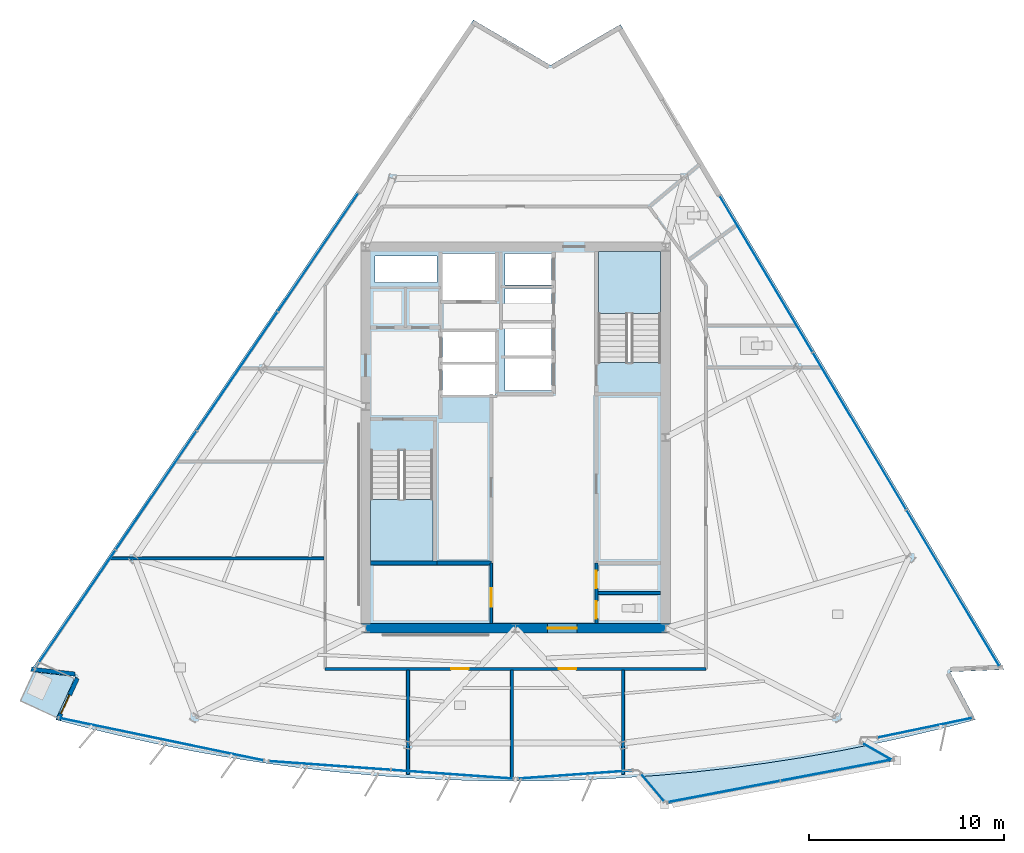
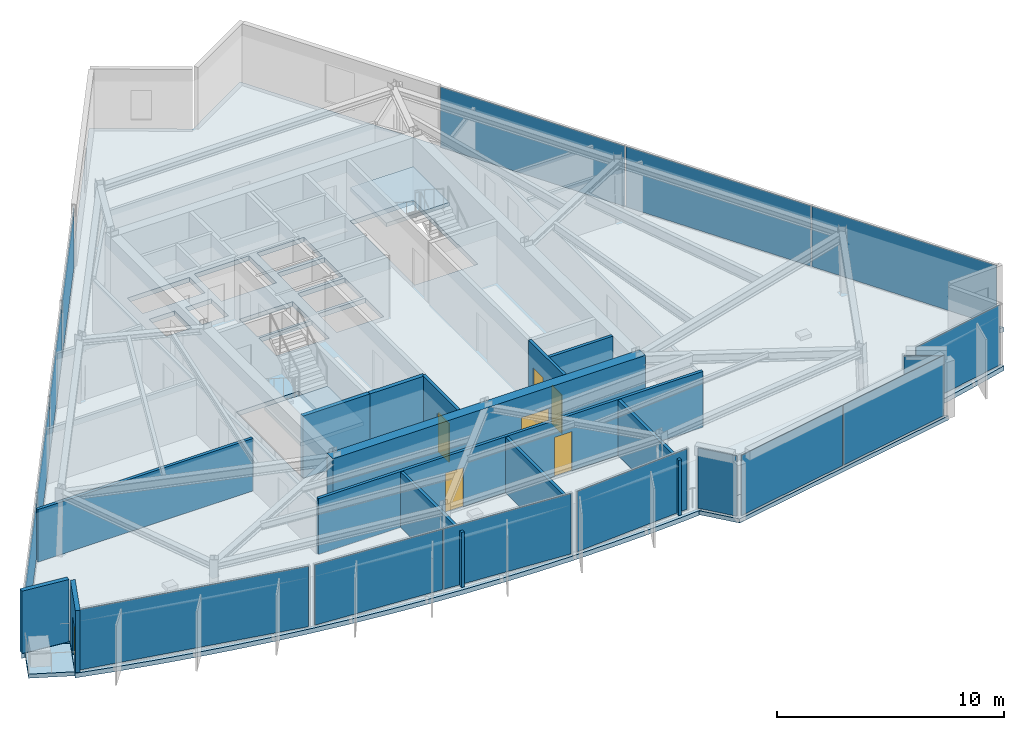
# One storey, part 7 of 14: 16 plates, 13 walls, 7 doors, 5 slabs, 7 openings, 11 elements without a shape of their own.
"""IFC4 building model written with IfcOpenShell, lengths in metres."""

from ifc_helpers import new_model, si_unit, direction, frame, frame_2d, origin, origin_2d, place, context, subcontext, project, spatial, polyline, rectangle, outline, extrude, material, layer, layer_set, type_object, element, fill, aggregate, save


model = new_model("IFC4")

# Units and contexts
model_context = context("Model", 3, precision=1e-05, world=origin(), true_north=direction((0.0, 1.0)))
body_context = subcontext(model_context, "Body", "Model", "MODEL_VIEW")
ifc_project = project(units=[si_unit("LENGTHUNIT", "METRE"), si_unit("AREAUNIT", "SQUARE_METRE"), si_unit("VOLUMEUNIT", "CUBIC_METRE"), si_unit("PLANEANGLEUNIT", "RADIAN"), si_unit("MASSUNIT", "GRAM", prefix="KILO")], contexts=[model_context])

# Site, building, storey
site_placement = place(None, origin())
site = spatial("IfcSite", under=ifc_project, at=site_placement, CompositionType="ELEMENT")
building_placement = place(site_placement, origin())
building = spatial("IfcBuilding", under=site, at=building_placement, Name="Savorim Split Tower", CompositionType="ELEMENT")
storey_placement = place(building_placement, frame((0.0, 0.0, 219.89990234375)))
storey = spatial("IfcBuildingStorey", under=building, at=storey_placement, Name="L58", CompositionType="ELEMENT", Elevation=219.89990234375)

# Curtain wall, plate
ifc_material_1 = material(Name="Dark Ceramic-Fritted Insulated Glass", Category="glass")
curtain_wall_type_1 = type_object("IfcCurtainWallType", Name="CW-TWR-FRIT-B", PredefinedType="NOTDEFINED", material=ifc_material_1)
curtain_wall_1_placement = place(storey_placement, origin())
curtain_wall_1 = element("IfcCurtainWall", 1, at=curtain_wall_1_placement, inside=storey, type_object=curtain_wall_type_1, Name="L58 Curtain Wall CW-L58-SF1A", PredefinedType="NOTDEFINED")
ifc_layer_1 = layer(ifc_material_1, 0.02587890625)
ifc_layer_set_1 = layer_set([ifc_layer_1], Name="CWP-FRITB-26")
plate_type_1 = type_object("IfcPlateType", Name="CWP-FRITB-26", PredefinedType="CURTAIN_PANEL", material=ifc_layer_set_1)
plate_1_placement = place(storey_placement, frame((-18.205322265625, -15.09423828125, 0.050048828125), z_axis=(0.0, 0.0, 1.0), x_axis=(0.979134184169, -0.203214786352, 0.0)))
plate_1 = element("IfcPlate", 2, at=plate_1_placement, type_object=plate_type_1, Name="CW-03 panel 1.1", PredefinedType="CURTAIN_PANEL", context=body_context, shape_type="SweptSolid", body=[
    extrude(rectangle(XDim=10.70849609375, YDim=0.02587890625, at=origin_2d()), origin(), (0.0, 0.0, 1.0), 3.25),
])
aggregate(curtain_wall_1, [plate_1])

# Curtain wall, plates
curtain_wall_2_placement = place(storey_placement, origin())
curtain_wall_2 = element("IfcCurtainWall", 3, at=curtain_wall_2_placement, inside=storey, type_object=curtain_wall_type_1, Name="L58 Curtain Wall CW-L58-SF2A", PredefinedType="NOTDEFINED")
plate_2_placement = place(storey_placement, frame((-9.549560546875, -16.447509765625, 0.050048828125), z_axis=(0.0, 0.0, 1.0), x_axis=(0.997436283282, -0.071560189997, 0.0)))
plate_2 = element("IfcPlate", 4, at=plate_2_placement, type_object=plate_type_1, Name="CW-03 panel 1.1", PredefinedType="CURTAIN_PANEL", context=body_context, shape_type="SweptSolid", body=[
    extrude(rectangle(XDim=6.24169921875, YDim=0.02587890625, at=origin_2d()), origin(), (0.0, 0.0, 1.0), 3.25),
])
plate_3_placement = place(storey_placement, frame((-3.263916015625, -16.8984375, 0.050048828125), z_axis=(0.0, 0.0, 1.0), x_axis=(0.997436283282, -0.071560189997, 0.0)))
plate_3 = element("IfcPlate", 5, at=plate_3_placement, type_object=plate_type_1, Name="CW-03 panel 2.1", PredefinedType="CURTAIN_PANEL", context=body_context, shape_type="SweptSolid", body=[
    extrude(rectangle(XDim=6.24169921875, YDim=0.02587890625, at=origin_2d()), origin(), (0.0, 0.0, 1.0), 3.25),
])
aggregate(curtain_wall_2, [plate_2, plate_3])

# Curtain wall, plate
curtain_wall_3_placement = place(storey_placement, origin())
curtain_wall_3 = element("IfcCurtainWall", 6, at=curtain_wall_3_placement, inside=storey, type_object=curtain_wall_type_1, Name="L58 Curtain Wall CW-L58-SF3A", PredefinedType="NOTDEFINED")
plate_4_placement = place(storey_placement, frame((3.0654296875, -16.91259765625, 0.050048828125), z_axis=(0.0, 0.0, 1.0), x_axis=(0.997435751346, 0.071567603964, 0.0)))
plate_4 = element("IfcPlate", 7, at=plate_4_placement, type_object=plate_type_1, Name="CW-03 panel 1.1", PredefinedType="CURTAIN_PANEL", context=body_context, shape_type="SweptSolid", body=[
    extrude(rectangle(XDim=5.843505859375, YDim=0.02587890625, at=origin_2d()), origin(), (0.0, 0.0, 1.0), 3.25),
])
aggregate(curtain_wall_3, [plate_4])

curtain_wall_4_placement = place(storey_placement, origin())
curtain_wall_4 = element("IfcCurtainWall", 8, at=curtain_wall_4_placement, inside=storey, type_object=curtain_wall_type_1, Name="L58 Curtain Wall CW-L58-SF4A", PredefinedType="NOTDEFINED")
plate_5_placement = place(storey_placement, frame((21.02978515625, -14.508056640625, 0.050048828125), z_axis=(0.0, 0.0, 1.0), x_axis=(0.979134728016, 0.203212165958, 0.0)))
plate_5 = element("IfcPlate", 9, at=plate_5_placement, type_object=plate_type_1, Name="CW-03 panel 1.1", PredefinedType="CURTAIN_PANEL", context=body_context, shape_type="SweptSolid", body=[
    extrude(rectangle(XDim=4.938720703125, YDim=0.02587890625, at=origin_2d()), origin(), (0.0, 0.0, 1.0), 3.25),
])
aggregate(curtain_wall_4, [plate_5])

# Curtain wall, plates
curtain_wall_5_placement = place(storey_placement, origin())
curtain_wall_5 = element("IfcCurtainWall", 10, at=curtain_wall_5_placement, inside=storey, type_object=curtain_wall_type_1, Name="L58 Curtain Wall CW-L58-EAST", PredefinedType="NOTDEFINED")
plate_6_placement = place(storey_placement, frame((22.467041015625, -7.335205078125, 0.050048828125), z_axis=(0.0, 0.0, 1.0), x_axis=(-0.51109620442, 0.859523513249, 0.0)))
plate_6 = element("IfcPlate", 11, at=plate_6_placement, type_object=plate_type_1, Name="CW-03 panel 1.1", PredefinedType="CURTAIN_PANEL", context=body_context, shape_type="SweptSolid", body=[
    extrude(rectangle(XDim=9.3125, YDim=0.02587890625, at=origin_2d()), origin(), (0.0, 0.0, 1.0), 3.25),
])
plate_7_placement = place(storey_placement, frame((17.669189453125, 0.733642578125, 0.050048828125), z_axis=(0.0, 0.0, 1.0), x_axis=(-0.51109620442, 0.859523513249, 0.0)))
plate_7 = element("IfcPlate", 12, at=plate_7_placement, type_object=plate_type_1, Name="CW-03 panel 2.1", PredefinedType="CURTAIN_PANEL", context=body_context, shape_type="SweptSolid", body=[
    extrude(rectangle(XDim=9.342529296875, YDim=0.02587890625, at=origin_2d()), origin(), (0.0, 0.0, 1.0), 3.25),
])
plate_8_placement = place(storey_placement, frame((12.871337890625, 8.802490234375, 0.050048828125), z_axis=(0.0, 0.0, 1.0), x_axis=(-0.51109620442, 0.859523513249, 0.0)))
plate_8 = element("IfcPlate", 13, at=plate_8_placement, type_object=plate_type_1, Name="CW-03 panel 3.1", PredefinedType="CURTAIN_PANEL", context=body_context, shape_type="SweptSolid", body=[
    extrude(rectangle(XDim=9.3125, YDim=0.02587890625, at=origin_2d()), origin(), (0.0, 0.0, 1.0), 3.25),
])
aggregate(curtain_wall_5, [plate_6, plate_7, plate_8])

curtain_wall_6_placement = place(storey_placement, origin())
curtain_wall_6 = element("IfcCurtainWall", 14, at=curtain_wall_6_placement, inside=storey, type_object=curtain_wall_type_1, Name="L58 Curtain Wall CW-L58-WEST", PredefinedType="NOTDEFINED")
plate_9_placement = place(storey_placement, frame((-10.14208984375, 9.923583984375, 0.050048828125), z_axis=(0.0, 0.0, 1.0), x_axis=(-0.562466573779, -0.826820024782, 0.0)))
plate_9 = element("IfcPlate", 15, at=plate_9_placement, type_object=plate_type_1, Name="CW-03 panel 1.1", PredefinedType="CURTAIN_PANEL", context=body_context, shape_type="SweptSolid", body=[
    extrude(rectangle(XDim=7.317626953125, YDim=0.02587890625, at=origin_2d()), origin(), (0.0, 0.0, 1.0), 3.25),
])
plate_10_placement = place(storey_placement, frame((-14.300048828125, 3.811279296875, 0.050048828125), z_axis=(0.0, 0.0, 1.0), x_axis=(-0.562466573779, -0.826820024782, 0.0)))
plate_10 = element("IfcPlate", 16, at=plate_10_placement, type_object=plate_type_1, Name="CW-03 panel 2.1", PredefinedType="CURTAIN_PANEL", context=body_context, shape_type="SweptSolid", body=[
    extrude(rectangle(XDim=7.347412109375, YDim=0.02587890625, at=origin_2d()), origin(), (0.0, 0.0, 1.0), 3.25),
])
plate_11_placement = place(storey_placement, frame((-18.466552734375, -2.313232421875, 0.050048828125), z_axis=(0.0, 0.0, 1.0), x_axis=(-0.562466573779, -0.826820024782, 0.0)))
plate_11 = element("IfcPlate", 17, at=plate_11_placement, type_object=plate_type_1, Name="CW-03 panel 3.1", PredefinedType="CURTAIN_PANEL", context=body_context, shape_type="SweptSolid", body=[
    extrude(rectangle(XDim=7.347412109375, YDim=0.02587890625, at=origin_2d()), origin(), (0.0, 0.0, 1.0), 3.25),
])
plate_12_placement = place(storey_placement, frame((-22.62451171875, -8.425537109375, 0.050048828125), z_axis=(0.0, 0.0, 1.0), x_axis=(-0.562466573779, -0.826820024782, 0.0)))
plate_12 = element("IfcPlate", 18, at=plate_12_placement, type_object=plate_type_1, Name="CW-03 panel 4.1", PredefinedType="CURTAIN_PANEL", context=body_context, shape_type="SweptSolid", body=[
    extrude(rectangle(XDim=7.317626953125, YDim=0.02587890625, at=origin_2d()), origin(), (0.0, 0.0, 1.0), 3.25),
])
aggregate(curtain_wall_6, [plate_9, plate_10, plate_11, plate_12])

curtain_wall_type_2 = type_object("IfcCurtainWallType", Name="CW-BAY-LOUNGE", PredefinedType="NOTDEFINED", material=ifc_material_1)
curtain_wall_7_placement = place(storey_placement, origin())
curtain_wall_7 = element("IfcCurtainWall", 19, at=curtain_wall_7_placement, inside=storey, type_object=curtain_wall_type_2, Name="L58 Curtain Wall CW-L58-BAYF", PredefinedType="NOTDEFINED")
ifc_material_2 = material(Name="Low-E Operable Double Glazing", Category="glass")
ifc_layer_2 = layer(ifc_material_2, 0.031982421875)
ifc_layer_set_2 = layer_set([ifc_layer_2], Name="CWP-POD-32")
plate_type_2 = type_object("IfcPlateType", Name="CWP-POD-32", PredefinedType="CURTAIN_PANEL", material=ifc_layer_set_2)
plate_13_placement = place(storey_placement, frame((10.6953125, -17.788330078125, 0.05517578125), z_axis=(0.0, 0.0, 1.0), x_axis=(0.982442225458, 0.186567075437, 0.0)))
plate_13 = element("IfcPlate", 20, at=plate_13_placement, type_object=plate_type_2, Name="CW-04 panel 1.1", PredefinedType="CURTAIN_PANEL", context=body_context, shape_type="SweptSolid", body=[
    extrude(rectangle(XDim=5.859375, YDim=0.031982421875, at=origin_2d()), origin(), (0.0, 0.0, 1.0), 3.239990234375),
])
plate_14_placement = place(storey_placement, frame((16.515625, -16.68310546875, 0.05517578125), z_axis=(0.0, 0.0, 1.0), x_axis=(0.982442225458, 0.186567075437, 0.0)))
plate_14 = element("IfcPlate", 21, at=plate_14_placement, type_object=plate_type_2, Name="CW-04 panel 2.1", PredefinedType="CURTAIN_PANEL", context=body_context, shape_type="SweptSolid", body=[
    extrude(rectangle(XDim=5.859375, YDim=0.031982421875, at=origin_2d()), origin(), (0.0, 0.0, 1.0), 3.239990234375),
])
aggregate(curtain_wall_7, [plate_13, plate_14])

# Curtain wall, plate
curtain_wall_8_placement = place(storey_placement, origin())
curtain_wall_8 = element("IfcCurtainWall", 22, at=curtain_wall_8_placement, inside=storey, type_object=curtain_wall_type_2, Name="L58 Curtain Wall CW-L58-BAYW", PredefinedType="NOTDEFINED")
plate_15_placement = place(storey_placement, frame((7.040283203125, -17.58544921875, 0.05517578125), z_axis=(0.0, 0.0, 1.0), x_axis=(0.645008298218, -0.764175565711, 0.0)))
plate_15 = element("IfcPlate", 23, at=plate_15_placement, type_object=plate_type_2, Name="CW-04 panel 1.1", PredefinedType="CURTAIN_PANEL", context=body_context, shape_type="SweptSolid", body=[
    extrude(rectangle(XDim=1.81005859375, YDim=0.031982421875, at=origin_2d()), origin(), (0.0, 0.0, 1.0), 3.239990234375),
])
aggregate(curtain_wall_8, [plate_15])

curtain_wall_9_placement = place(storey_placement, origin())
curtain_wall_9 = element("IfcCurtainWall", 24, at=curtain_wall_9_placement, inside=storey, type_object=curtain_wall_type_2, Name="L58 Curtain Wall CW-L58-BAYE", PredefinedType="NOTDEFINED")
plate_16_placement = place(storey_placement, frame((18.570068359375, -15.72998046875, 0.05517578125), z_axis=(0.0, 0.0, 1.0), x_axis=(-0.868135811554, 0.49632671971, 0.0)))
plate_16 = element("IfcPlate", 25, at=plate_16_placement, type_object=plate_type_2, Name="CW-04 panel 1.1", PredefinedType="CURTAIN_PANEL", context=body_context, shape_type="SweptSolid", body=[
    extrude(rectangle(XDim=1.705078125, YDim=0.031982421875, at=origin_2d()), origin(), (0.0, 0.0, 1.0), 3.239990234375),
])
aggregate(curtain_wall_9, [plate_16])

# Slabs
ifc_material_3 = material(Name="Concrete C50/60", Category="concrete")
ifc_layer_3 = layer(ifc_material_3, 0.219970703125)
ifc_layer_set_3 = layer_set([ifc_layer_3], Name="SLB-BAL-220")
slab_type_1 = type_object("IfcSlabType", Name="SLB-BAL-220", PredefinedType="FLOOR", material=ifc_layer_set_3)
slab_1_placement = place(storey_placement, frame((0.0, 0.0, -0.219970703125)))
element("IfcSlab", 26, at=slab_1_placement, inside=storey, type_object=slab_type_1, Name="L58 Cantilevered Shared Kitchen Lounge Slab", PredefinedType="FLOOR", context=body_context, shape_type="SweptSolid", body=[
    extrude(outline(polyline([(18.18310546875, -15.393310546875), (16.45947265625, -15.73291015625), (14.648193359375, -16.051025390625), (12.83056640625, -16.332275390625), (11.007568359375, -16.576171875), (9.179931640625, -16.78271484375), (7.3486328125, -16.951904296875), (6.430419921875, -17.017822265625), (7.654052734375, -18.467529296875), (19.59423828125, -16.2001953125), (18.18310546875, -15.393310546875)])), origin(), (0.0, 0.0, 1.0), 0.219970703125),
])
slab_2_placement = place(storey_placement, frame((0.0, 0.0, -0.219970703125)))
element("IfcSlab", 27, at=slab_2_placement, inside=storey, type_object=slab_type_1, Name="L58 Notched Corner Planted Tree Balcony Slab", PredefinedType="FLOOR", context=body_context, shape_type="SweptSolid", body=[
    extrude(outline(polyline([(-23.583251953125, -13.97998046875), (-22.6650390625, -11.981689453125), (-22.9755859375, -11.839111328125), (-24.758544921875, -11.639892578125), (-25.44140625, -13.126220703125), (-23.583251953125, -13.97998046875)])), origin(), (0.0, 0.0, 1.0), 0.219970703125),
])

# Stair, slab
stair_type = type_object("IfcStairType", Name="STR-DOG-3600", PredefinedType="HALF_TURN_STAIR", material=ifc_material_3)
stair_1_placement = place(storey_placement, origin())
stair_1 = element("IfcStair", 28, at=stair_1_placement, inside=storey, type_object=stair_type, Name="L58 Core Protected Exit Stair ST-1", PredefinedType="HALF_TURN_STAIR")
ifc_layer_4 = layer(ifc_material_3, 0.199951171875)
ifc_layer_set_4 = layer_set([ifc_layer_4], Name="SLB-LND-200")
slab_type_2 = type_object("IfcSlabType", Name="SLB-LND-200", PredefinedType="LANDING", material=ifc_layer_set_4)
slab_3_placement = place(storey_placement, frame((0.0, 0.0, 1.60009765625)))
slab_3 = element("IfcSlab", 29, at=slab_3_placement, type_object=slab_type_2, Name="ST-1 landing 1", PredefinedType="LANDING", context=body_context, shape_type="SweptSolid", body=[
    extrude(outline(polyline([(-7.449951171875, -2.77001953125), (-7.449951171875, -5.949951171875), (-4.25, -5.949951171875), (-4.25, -2.77001953125), (-7.449951171875, -2.77001953125)])), origin(), (0.0, 0.0, 1.0), 0.199951171875),
])
aggregate(stair_1, [slab_3])

stair_2_placement = place(storey_placement, origin())
stair_2 = element("IfcStair", 30, at=stair_2_placement, inside=storey, type_object=stair_type, Name="L58 Core Protected Exit Stair ST-2", PredefinedType="HALF_TURN_STAIR")
slab_4_placement = place(storey_placement, frame((0.0, 0.0, 1.60009765625)))
slab_4 = element("IfcSlab", 31, at=slab_4_placement, type_object=slab_type_2, Name="ST-2 landing 1", PredefinedType="LANDING", context=body_context, shape_type="SweptSolid", body=[
    extrude(outline(polyline([(7.449951171875, 6.77001953125), (7.449951171875, 9.949951171875), (4.25, 9.949951171875), (4.25, 6.77001953125), (7.449951171875, 6.77001953125)])), origin(), (0.0, 0.0, 1.0), 0.199951171875),
])
aggregate(stair_2, [slab_4])

# Slab
ifc_layer_5 = layer(ifc_material_3, 0.25)
ifc_layer_set_5 = layer_set([ifc_layer_5], Name="SLB-TWR-250")
slab_type_3 = type_object("IfcSlabType", Name="SLB-TWR-250", PredefinedType="FLOOR", material=ifc_layer_set_5)
slab_5_placement = place(storey_placement, frame((0.0, 0.0, -0.25)))
element("IfcSlab", 32, at=slab_5_placement, inside=storey, type_object=slab_type_3, Name="L58 Structural Floor Slab", PredefinedType="FLOOR", context=body_context, shape_type="SweptSolid", body=[
    extrude(outline(polyline([(-23.62890625, -14.09130859375), (-21.849609375, -14.556396484375), (-20.06103515625, -14.9853515625), (-18.26416015625, -15.37744140625), (-16.45947265625, -15.73291015625), (-14.648193359375, -16.051025390625), (-12.83056640625, -16.332275390625), (-11.007568359375, -16.576171875), (-9.179931640625, -16.78271484375), (-7.3486328125, -16.951904296875), (-5.51416015625, -17.08349609375), (-3.677490234375, -17.177490234375), (-1.839111328125, -17.23388671875), (0.0, -17.252685546875), (1.839111328125, -17.23388671875), (3.677490234375, -17.177490234375), (5.51416015625, -17.08349609375), (7.3486328125, -16.951904296875), (9.179931640625, -16.78271484375), (11.007568359375, -16.576171875), (12.83056640625, -16.332275390625), (14.648193359375, -16.051025390625), (16.45947265625, -15.73291015625), (18.26416015625, -15.37744140625), (20.06103515625, -14.9853515625), (21.849609375, -14.556396484375), (23.62890625, -14.09130859375), (22.310791015625, -11.635009765625), (25.09326171875, -11.5166015625), (5.38623046875, 21.625244140625), (1.788818359375, 19.528564453125), (-2.17041015625, 21.85546875), (-24.939208984375, -11.61474609375), (-22.6103515625, -11.874755859375), (-23.62890625, -14.09130859375)]), holes=[polyline([(-7.449951171875, -0.25390625), (-7.449951171875, -5.949951171875), (-4.25, -5.949951171875), (-4.25, -0.25390625), (-7.449951171875, -0.25390625)]), polyline([(7.449951171875, 4.25390625), (7.449951171875, 9.949951171875), (4.25, 9.949951171875), (4.25, 4.25390625), (7.449951171875, 4.25390625)]), polyline([(-0.550048828125, 2.830078125), (1.85009765625, 2.830078125), (1.85009765625, 4.469970703125), (-0.550048828125, 4.469970703125), (-0.550048828125, 2.830078125)]), polyline([(-0.550048828125, 4.6298828125), (1.85009765625, 4.6298828125), (1.85009765625, 6.27001953125), (-0.550048828125, 6.27001953125), (-0.550048828125, 4.6298828125)]), polyline([(-0.550048828125, 6.429931640625), (1.85009765625, 6.429931640625), (1.85009765625, 8.070068359375), (-0.550048828125, 8.070068359375), (-0.550048828125, 6.429931640625)]), polyline([(-0.550048828125, 8.22998046875), (1.85009765625, 8.22998046875), (1.85009765625, 9.8701171875), (-0.550048828125, 9.8701171875), (-0.550048828125, 8.22998046875)]), polyline([(-3.75, 2.60009765625), (-1.050048828125, 2.60009765625), (-1.050048828125, 4.159912109375), (-3.75, 4.159912109375), (-3.75, 2.60009765625)]), polyline([(-3.75, 4.280029296875), (-1.050048828125, 4.280029296875), (-1.050048828125, 5.840087890625), (-3.75, 5.840087890625), (-3.75, 4.280029296875)]), polyline([(-3.75, 7.449951171875), (-0.949951171875, 7.449951171875), (-0.949951171875, 9.85009765625), (-3.75, 9.85009765625), (-3.75, 7.449951171875)]), polyline([(-7.219970703125, 6.320068359375), (-5.919921875, 6.320068359375), (-5.919921875, 7.820068359375), (-7.219970703125, 7.820068359375), (-7.219970703125, 6.320068359375)]), polyline([(-5.3798828125, 6.320068359375), (-4.050048828125, 6.320068359375), (-4.050048828125, 7.820068359375), (-5.3798828125, 7.820068359375), (-5.3798828125, 6.320068359375)]), polyline([(-7.219970703125, 8.360107421875), (-4.050048828125, 8.360107421875), (-4.050048828125, 9.719970703125), (-7.219970703125, 9.719970703125), (-7.219970703125, 8.360107421875)])]), origin(), (0.0, 0.0, 1.0), 0.25),
])

# Wall, opening, door
ifc_material_4 = material(Name="Concrete C60/75", Category="concrete")
ifc_layer_6 = layer(ifc_material_4, 0.5)
ifc_layer_set_6 = layer_set([ifc_layer_6], Name="WAL-COR-SH500")
wall_type_1 = type_object("IfcWallType", Name="WAL-COR-SH500", PredefinedType="SHEAR", material=ifc_layer_set_6)
wall_1_placement = place(storey_placement, frame((-7.949951171875, -9.39990234375, 0.0), z_axis=(0.0, 0.0, 1.0), x_axis=(1.0, 0.0, 0.0)))
wall_1 = element("IfcWall", 33, at=wall_1_placement, inside=storey, type_object=wall_type_1, Name="L58 Offset Core South Shear Wall", PredefinedType="SHEAR", context=body_context, shape_type="SweptSolid", body=[
    extrude(rectangle(XDim=15.89990234375, YDim=0.5, at=frame_2d((7.949951171875, 0.0))), origin(), (0.0, 0.0, 1.0), 3.35009765625),
])
opening_1_placement = place(wall_1_placement, frame((9.60009765625, 0.0, 0.0)))
opening_1 = element("IfcOpeningElement", 34, at=opening_1_placement, cuts=wall_1, Name="Opening DI-02", PredefinedType="OPENING", context=body_context, shape_type="SweptSolid", body=[
    extrude(rectangle(XDim=1.5, YDim=2.199951171875, at=frame_2d((0.75, 1.10009765625))), frame((0.0, 0.260009765625, 0.0), z_axis=(0.0, -1.0, 0.0), x_axis=(1.0, 0.0, 0.0)), (0.0, 0.0, 1.0), 0.52001953125),
])
ifc_material_5 = material(Name="Timber Fire Door Leaf", Category="wood")
door_type_1 = type_object("IfcDoorType", Name="DOR-DBL-1500", OperationType="NOTDEFINED", PredefinedType="DOOR", material=ifc_material_5)
door_1_placement = place(opening_1_placement, origin())
door_1 = element("IfcDoor", 35, at=door_1_placement, inside=storey, type_object=door_type_1, Name="DOR-L58-COR-LLOB - L58 Lift Lobby Main Rated Door", OperationType="DOUBLE_DOOR_SINGLE_SWING", OverallHeight=2.199951171875, OverallWidth=1.5, PredefinedType="DOOR", context=body_context, shape_type="SweptSolid", body=[
    extrude(rectangle(XDim=1.5, YDim=2.199951171875, at=frame_2d((0.75, 1.10009765625))), frame((0.0, 0.02490234375, 0.0), z_axis=(0.0, -1.0, 0.0), x_axis=(1.0, 0.0, 0.0)), (0.0, 0.0, 1.0), 0.050048828125),
])
fill(opening_1, door_1)

# Wall
ifc_material_6 = material(Name="Precast concrete C40/50", Category="concrete")
ifc_layer_7 = layer(ifc_material_6, 0.219970703125)
ifc_layer_set_7 = layer_set([ifc_layer_7], Name="WAL-EXT-CRN220")
wall_type_2 = type_object("IfcWallType", Name="WAL-EXT-CRN220", PredefinedType="SOLIDWALL", material=ifc_layer_set_7)
wall_2_placement = place(storey_placement, frame((-22.63671875, -11.751220703125, 0.0), z_axis=(0.0, 0.0, 1.0), x_axis=(-0.993821756753, 0.110987908368, 0.0)))
element("IfcWall", 36, at=wall_2_placement, inside=storey, type_object=wall_type_2, Name="L58 Notched Corner Facade Wall SW1", PredefinedType="SOLIDWALL", context=body_context, shape_type="SweptSolid", body=[
    extrude(rectangle(XDim=2.263427734375, YDim=0.219970703125, at=frame_2d((1.1318359375, 0.0))), origin(), (0.0, 0.0, 1.0), 3.35009765625),
])

# Wall, opening, door
wall_3_placement = place(storey_placement, frame((-23.503173828125, -14.10498046875, 0.0), z_axis=(0.0, 0.0, 1.0), x_axis=(0.417541737863, 0.908657744777, 0.0)))
wall_3 = element("IfcWall", 37, at=wall_3_placement, inside=storey, type_object=wall_type_2, Name="L58 Notched Corner Facade Wall SW", PredefinedType="SOLIDWALL", context=body_context, shape_type="SweptSolid", body=[
    extrude(rectangle(XDim=2.359375, YDim=0.219970703125, at=frame_2d((1.1796875, 0.0))), origin(), (0.0, 0.0, 1.0), 3.35009765625),
])
opening_2_placement = place(wall_3_placement, frame((0.3544921875, 0.0, 0.0)))
opening_2 = element("IfcOpeningElement", 38, at=opening_2_placement, cuts=wall_3, Name="Opening DB-01", PredefinedType="OPENING", context=body_context, shape_type="SweptSolid", body=[
    extrude(rectangle(XDim=1.050048828125, YDim=2.14990234375, at=frame_2d((0.52490234375, 1.074951171875))), frame((0.0, 0.119873046875, 0.0), z_axis=(0.0, -1.0, 0.0), x_axis=(1.0, 0.0, 0.0)), (0.0, 0.0, 1.0), 0.239990234375),
])
ifc_material_7 = material(Name="Charcoal Anodised Aluminium", Category="aluminium")
door_type_2 = type_object("IfcDoorType", Name="DOR-BAL-1050", OperationType="NOTDEFINED", PredefinedType="DOOR", material=ifc_material_7)
door_2_placement = place(opening_2_placement, origin())
door_2 = element("IfcDoor", 39, at=door_2_placement, inside=storey, type_object=door_type_2, Name="DOR-L58-TBAL-SW - L58 Planted Tree Balcony Door SW", OperationType="SINGLE_SWING_LEFT", OverallHeight=2.14990234375, OverallWidth=1.050048828125, PredefinedType="DOOR", context=body_context, shape_type="SweptSolid", body=[
    extrude(rectangle(XDim=1.050048828125, YDim=2.14990234375, at=frame_2d((0.52490234375, 1.074951171875))), frame((0.0, 0.02490234375, 0.0), z_axis=(0.0, -1.0, 0.0), x_axis=(1.0, 0.0, 0.0)), (0.0, 0.0, 1.0), 0.050048828125),
])
fill(opening_2, door_2)

# Walls
ifc_layer_8 = layer(ifc_material_3, 0.199951171875)
ifc_layer_set_8 = layer_set([ifc_layer_8], Name="WAL-INT-RC200")
wall_type_3 = type_object("IfcWallType", Name="WAL-INT-RC200", PredefinedType="SOLIDWALL", material=ifc_layer_set_8)
wall_4_placement = place(storey_placement, frame((-7.449951171875, -6.050048828125, 0.0), z_axis=(0.0, 0.0, 1.0), x_axis=(1.0, 0.0, 0.0)))
element("IfcWall", 40, at=wall_4_placement, inside=storey, type_object=wall_type_3, Name="L58 Structural Shaft Wall W-L58-KSEP-W", PredefinedType="SOLIDWALL", context=body_context, shape_type="SweptSolid", body=[
    extrude(rectangle(XDim=3.39990234375, YDim=0.199951171875, at=frame_2d((1.699951171875, 0.0))), origin(), (0.0, 0.0, 1.0), 3.35009765625),
])
wall_5_placement = place(storey_placement, frame((-4.0400390625, -6.050048828125, 0.0), z_axis=(0.0, 0.0, 1.0), x_axis=(1.0, 0.0, 0.0)))
element("IfcWall", 41, at=wall_5_placement, inside=storey, type_object=wall_type_3, Name="L58 Partition W-L58-KSEP-W2", PredefinedType="SOLIDWALL", context=body_context, shape_type="SweptSolid", body=[
    extrude(rectangle(XDim=2.7900390625, YDim=0.199951171875, at=frame_2d((1.39501953125, 0.0))), origin(), (0.0, 0.0, 1.0), 3.35009765625),
])

# Wall, opening, door
ifc_material_8 = material(Name="Acoustic Gypsum Partition Board")
ifc_layer_9 = layer(ifc_material_8, 0.14990234375)
ifc_layer_set_9 = layer_set([ifc_layer_9], Name="WAL-PAR-150")
wall_type_4 = type_object("IfcWallType", Name="WAL-PAR-150", PredefinedType="PARTITIONING", material=ifc_layer_set_9)
wall_6_placement = place(storey_placement, frame((-1.25, -9.14501953125, 0.0), z_axis=(0.0, 0.0, 1.0), x_axis=(0.0, 1.0, 0.0)))
wall_6 = element("IfcWall", 42, at=wall_6_placement, inside=storey, type_object=wall_type_4, Name="L58 Partition W-L58-KLOB-W", PredefinedType="PARTITIONING", context=body_context, shape_type="SweptSolid", body=[
    extrude(rectangle(XDim=3.094970703125, YDim=0.14990234375, at=frame_2d((1.54736328125, 0.0))), origin(), (0.0, 0.0, 1.0), 3.35009765625),
])
opening_3_placement = place(wall_6_placement, frame((0.844970703125, 0.0, 0.0)))
opening_3 = element("IfcOpeningElement", 43, at=opening_3_placement, cuts=wall_6, Name="Opening DI-05", PredefinedType="OPENING", context=body_context, shape_type="SweptSolid", body=[
    extrude(rectangle(XDim=0.949951171875, YDim=2.10009765625, at=frame_2d((0.47509765625, 1.050048828125))), frame((0.0, 0.0849609375, 0.0), z_axis=(0.0, -1.0, 0.0), x_axis=(1.0, 0.0, 0.0)), (0.0, 0.0, 1.0), 0.169921875),
])
door_type_3 = type_object("IfcDoorType", Name="DOR-FIR-950", OperationType="NOTDEFINED", PredefinedType="DOOR", material=ifc_material_5)
door_3_placement = place(opening_3_placement, origin())
door_3 = element("IfcDoor", 44, at=door_3_placement, inside=storey, type_object=door_type_3, Name="DR-L58-K3LIN - L58 Housekeeping Store Door", OperationType="SINGLE_SWING_LEFT", OverallHeight=2.10009765625, OverallWidth=0.949951171875, PredefinedType="DOOR", context=body_context, shape_type="SweptSolid", body=[
    extrude(rectangle(XDim=0.949951171875, YDim=2.10009765625, at=frame_2d((0.47509765625, 1.050048828125))), frame((0.0, 0.02490234375, 0.0), z_axis=(0.0, -1.0, 0.0), x_axis=(1.0, 0.0, 0.0)), (0.0, 0.0, 1.0), 0.050048828125),
])
fill(opening_3, door_3)

# Wall, openings, doors
wall_7_placement = place(storey_placement, frame((4.14990234375, -9.14501953125, 0.0), z_axis=(0.0, 0.0, 1.0), x_axis=(0.0, 1.0, 0.0)))
wall_7 = element("IfcWall", 45, at=wall_7_placement, inside=storey, type_object=wall_type_4, Name="L58 Partition W-L58-KLOB-E", PredefinedType="PARTITIONING", context=body_context, shape_type="SweptSolid", body=[
    extrude(rectangle(XDim=3.094970703125, YDim=0.14990234375, at=frame_2d((1.54736328125, 0.0))), origin(), (0.0, 0.0, 1.0), 3.35009765625),
])
opening_4_placement = place(wall_7_placement, frame((0.2451171875, 0.0, 0.0)))
opening_4 = element("IfcOpeningElement", 46, at=opening_4_placement, cuts=wall_7, Name="Opening DI-11", PredefinedType="OPENING", context=body_context, shape_type="SweptSolid", body=[
    extrude(rectangle(XDim=0.89990234375, YDim=2.10009765625, at=frame_2d((0.449951171875, 1.050048828125))), frame((0.0, 0.0849609375, 0.0), z_axis=(0.0, -1.0, 0.0), x_axis=(1.0, 0.0, 0.0)), (0.0, 0.0, 1.0), 0.169921875),
])
opening_5_placement = place(wall_7_placement, frame((1.794921875, 0.0, 0.0)))
opening_5 = element("IfcOpeningElement", 47, at=opening_5_placement, cuts=wall_7, Name="Opening DI-06", PredefinedType="OPENING", context=body_context, shape_type="SweptSolid", body=[
    extrude(rectangle(XDim=0.89990234375, YDim=2.10009765625, at=frame_2d((0.449951171875, 1.050048828125))), frame((0.0, 0.0849609375, 0.0), z_axis=(0.0, -1.0, 0.0), x_axis=(1.0, 0.0, 0.0)), (0.0, 0.0, 1.0), 0.169921875),
])
door_type_4 = type_object("IfcDoorType", Name="DOR-FIR-900", OperationType="NOTDEFINED", PredefinedType="DOOR", material=ifc_material_5)
door_4_placement = place(opening_5_placement, origin())
door_4 = element("IfcDoor", 48, at=door_4_placement, inside=storey, type_object=door_type_4, Name="DR-L58-K3LCK - L58 Cleaning Store Door", OperationType="SINGLE_SWING_LEFT", OverallHeight=2.10009765625, OverallWidth=0.89990234375, PredefinedType="DOOR", context=body_context, shape_type="SweptSolid", body=[
    extrude(rectangle(XDim=0.89990234375, YDim=2.10009765625, at=frame_2d((0.449951171875, 1.050048828125))), frame((0.0, 0.02490234375, 0.0), z_axis=(0.0, -1.0, 0.0), x_axis=(1.0, 0.0, 0.0)), (0.0, 0.0, 1.0), 0.050048828125),
])
fill(opening_5, door_4)
ifc_material_9 = material(Name="Oak Veneer Acoustic Door")
door_type_5 = type_object("IfcDoorType", Name="DOR-WC-900", OperationType="NOTDEFINED", PredefinedType="DOOR", material=ifc_material_9)
door_5_placement = place(opening_4_placement, origin())
door_5 = element("IfcDoor", 49, at=door_5_placement, inside=storey, type_object=door_type_5, Name="DR-L58-K3AWC - L58 Core Accessible WC Door", OperationType="SINGLE_SWING_RIGHT", OverallHeight=2.10009765625, OverallWidth=0.89990234375, PredefinedType="DOOR", context=body_context, shape_type="SweptSolid", body=[
    extrude(rectangle(XDim=0.89990234375, YDim=2.10009765625, at=frame_2d((0.449951171875, 1.050048828125))), frame((0.0, 0.02490234375, 0.0), z_axis=(0.0, -1.0, 0.0), x_axis=(1.0, 0.0, 0.0)), (0.0, 0.0, 1.0), 0.050048828125),
])
fill(opening_4, door_5)

# Wall
wall_8_placement = place(storey_placement, frame((4.14990234375, -7.580078125, 0.0), z_axis=(0.0, 0.0, 1.0), x_axis=(1.0, 0.0, 0.0)))
element("IfcWall", 50, at=wall_8_placement, inside=storey, type_object=wall_type_4, Name="L58 Partition W-L58-K3H", PredefinedType="PARTITIONING", context=body_context, shape_type="SweptSolid", body=[
    extrude(rectangle(XDim=3.295166015625, YDim=0.14990234375, at=frame_2d((1.6474609375, 0.0))), origin(), (0.0, 0.0, 1.0), 3.35009765625),
])

# Wall, openings, doors
wall_9_placement = place(storey_placement, frame((9.780029296875, -11.47998046875, 0.0), z_axis=(0.0, 0.0, 1.0), x_axis=(-1.0, 0.0, 0.0)))
wall_9 = element("IfcWall", 51, at=wall_9_placement, inside=storey, type_object=wall_type_4, Name="L58 Partition W-L58-COR-06", PredefinedType="PARTITIONING", context=body_context, shape_type="SweptSolid", body=[
    extrude(rectangle(XDim=19.56005859375, YDim=0.14990234375, at=frame_2d((9.780029296875, 0.0))), origin(), (0.0, 0.0, 1.0), 3.005126953125),
])
opening_6_placement = place(wall_9_placement, frame((12.18994140625, 0.0, 0.0)))
opening_6 = element("IfcOpeningElement", 52, at=opening_6_placement, cuts=wall_9, Name="Opening DI-06", PredefinedType="OPENING", context=body_context, shape_type="SweptSolid", body=[
    extrude(rectangle(XDim=0.89990234375, YDim=2.10009765625, at=frame_2d((0.449951171875, 1.050048828125))), frame((0.0, 0.0849609375, 0.0), z_axis=(0.0, -1.0, 0.0), x_axis=(1.0, 0.0, 0.0)), (0.0, 0.0, 1.0), 0.169921875),
])
opening_7_placement = place(wall_9_placement, frame((6.6650390625, 0.0, 0.0)))
opening_7 = element("IfcOpeningElement", 53, at=opening_7_placement, cuts=wall_9, Name="Opening DI-06", PredefinedType="OPENING", context=body_context, shape_type="SweptSolid", body=[
    extrude(rectangle(XDim=0.89990234375, YDim=2.10009765625, at=frame_2d((0.449951171875, 1.050048828125))), frame((0.0, 0.0849609375, 0.0), z_axis=(0.0, -1.0, 0.0), x_axis=(1.0, 0.0, 0.0)), (0.0, 0.0, 1.0), 0.169921875),
])
door_6_placement = place(opening_6_placement, origin())
door_6 = element("IfcDoor", 54, at=door_6_placement, inside=storey, type_object=door_type_4, Name="DR-L58-RM03 - L58 Shared Kitchen Entry Door", OperationType="SINGLE_SWING_RIGHT", OverallHeight=2.10009765625, OverallWidth=0.89990234375, PredefinedType="DOOR", context=body_context, shape_type="SweptSolid", body=[
    extrude(rectangle(XDim=0.89990234375, YDim=2.10009765625, at=frame_2d((0.449951171875, 1.050048828125))), frame((0.0, 0.02490234375, 0.0), z_axis=(0.0, -1.0, 0.0), x_axis=(1.0, 0.0, 0.0)), (0.0, 0.0, 1.0), 0.050048828125),
])
fill(opening_6, door_6)
door_7_placement = place(opening_7_placement, origin())
door_7 = element("IfcDoor", 55, at=door_7_placement, inside=storey, type_object=door_type_4, Name="DR-L58-RM04 - L58 Maker Workshop Entry Door", OperationType="SINGLE_SWING_LEFT", OverallHeight=2.10009765625, OverallWidth=0.89990234375, PredefinedType="DOOR", context=body_context, shape_type="SweptSolid", body=[
    extrude(rectangle(XDim=0.89990234375, YDim=2.10009765625, at=frame_2d((0.449951171875, 1.050048828125))), frame((0.0, 0.02490234375, 0.0), z_axis=(0.0, -1.0, 0.0), x_axis=(1.0, 0.0, 0.0)), (0.0, 0.0, 1.0), 0.050048828125),
])
fill(opening_7, door_7)

# Walls
wall_10_placement = place(storey_placement, frame((-5.52490234375, -11.5400390625, 0.0), z_axis=(0.0, 0.0, 1.0), x_axis=(0.0, -1.0, 0.0)))
element("IfcWall", 56, at=wall_10_placement, inside=storey, type_object=wall_type_4, Name="L58 Partition W-L58-PRAD02", PredefinedType="PARTITIONING", context=body_context, shape_type="SweptSolid", body=[
    extrude(rectangle(XDim=5.372314453125, YDim=0.14990234375, at=frame_2d((2.68603515625, 0.0))), origin(), (0.0, 0.0, 1.0), 2.965087890625),
])
wall_11_placement = place(storey_placement, frame((5.52490234375, -11.5400390625, 0.0), z_axis=(0.0, 0.0, 1.0), x_axis=(0.0, -1.0, 0.0)))
element("IfcWall", 57, at=wall_11_placement, inside=storey, type_object=wall_type_4, Name="L58 Partition W-L58-PRAD03", PredefinedType="PARTITIONING", context=body_context, shape_type="SweptSolid", body=[
    extrude(rectangle(XDim=5.372314453125, YDim=0.14990234375, at=frame_2d((2.68603515625, 0.0))), origin(), (0.0, 0.0, 1.0), 2.97509765625),
])
wall_12_placement = place(storey_placement, frame((-9.840087890625, -5.806640625, 0.0), z_axis=(0.0, 0.0, 1.0), x_axis=(-1.0, 0.0, 0.0)))
element("IfcWall", 58, at=wall_12_placement, inside=storey, type_object=wall_type_4, Name="L58 Partition W-L58-PRAD10", PredefinedType="PARTITIONING", context=body_context, shape_type="SweptSolid", body=[
    extrude(rectangle(XDim=10.942626953125, YDim=0.14990234375, at=frame_2d((5.47119140625, 0.0))), origin(), (0.0, 0.0, 1.0), 2.8251953125),
])
wall_13_placement = place(storey_placement, frame((-0.195068359375, -11.5400390625, 0.0), z_axis=(0.0, 0.0, 1.0), x_axis=(0.0, -1.0, 0.0)))
element("IfcWall", 59, at=wall_13_placement, inside=storey, type_object=wall_type_4, Name="L58 Partition W-L58-SUB02", PredefinedType="PARTITIONING", context=body_context, shape_type="SweptSolid", body=[
    extrude(rectangle(XDim=5.540771484375, YDim=0.14990234375, at=frame_2d((2.7705078125, 0.0))), origin(), (0.0, 0.0, 1.0), 2.97509765625),
])

save(model, "model.ifc")
